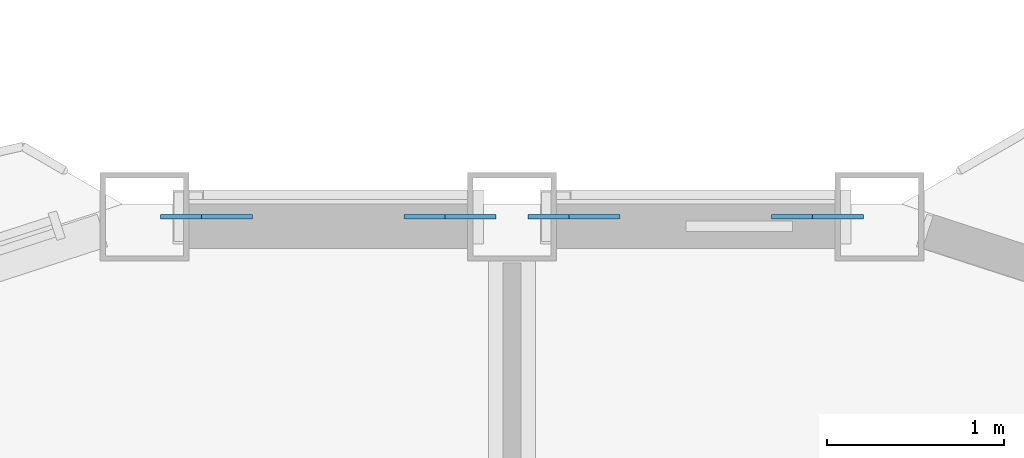
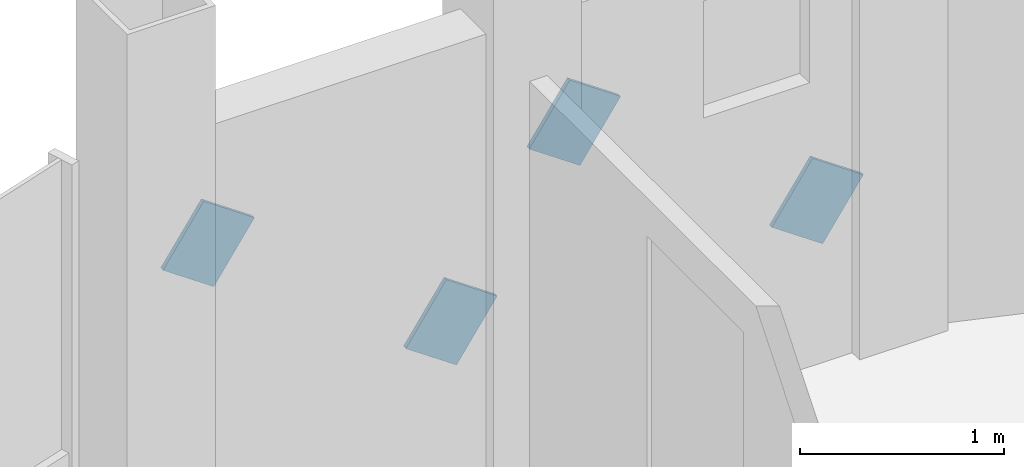
# One storey, part 21 of 26: 4 discrete accessories.
"""IFC4 building model written with IfcOpenShell, lengths in metres."""

from ifc_helpers import new_model, si_unit, direction, frame, origin, origin_2d, place, context, subcontext, project, spatial, rectangle, extrude, material, material_profile, profile_set, type_object, element, save


model = new_model("IFC4")

# Units and contexts
model_context = context("Model", 3, precision=1e-05, world=origin(), true_north=direction((0.0, 1.0)))
body_context = subcontext(model_context, "Body", "Model", "MODEL_VIEW")
ifc_project = project(units=[si_unit("LENGTHUNIT", "METRE"), si_unit("AREAUNIT", "SQUARE_METRE"), si_unit("VOLUMEUNIT", "CUBIC_METRE"), si_unit("PLANEANGLEUNIT", "RADIAN"), si_unit("MASSUNIT", "GRAM", prefix="KILO")], contexts=[model_context])

# Site, building, storey
site_placement = place(None, origin())
site = spatial("IfcSite", under=ifc_project, at=site_placement, CompositionType="ELEMENT")
building_placement = place(site_placement, origin())
building = spatial("IfcBuilding", under=site, at=building_placement, Name="Cormorant Prow Tower", CompositionType="ELEMENT")
storey_placement = place(building_placement, frame((0.0, 0.0, 401.800048828125)))
storey = spatial("IfcBuildingStorey", under=building, at=storey_placement, Name="L92", CompositionType="ELEMENT", Elevation=401.800048828125)

# Discrete accessories
ifc_material = material(Name="Structural steel ASTM A500 Gr C", Category="steel")
ifc_material_profile = material_profile(ifc_material, rectangle(XDim=0.02490234375, YDim=0.405029296875, at=origin_2d()), Name="Gusset plate 25x405")
ifc_profile_set = profile_set([ifc_material_profile], Name="Structural steel ASTM A500 Gr C")
discrete_accessory_type = type_object("IfcDiscreteAccessoryType", Name="Gusset plate 25x405", PredefinedType="BRACKET", material=ifc_profile_set)
for number, where, z_axis, x_axis, name in (
    (1, (1.580322265625, 31.219482421875, 0.941162109375), (0.822593864641, 0.0, -0.568629346635), (0.0, 1.0, 0.0), "Gusset plate GP3 L92.N00.g0"),
    (2, (0.493408203125, 31.219482421875, 1.692626953125), (-0.822593864641, 0.0, 0.568629346635), (0.0, -1.0, 0.0), "Gusset plate GP3 L92.N00.g1"),
    (3, (-0.493408203125, 31.219482421875, 0.941162109375), (0.822593864641, 0.0, -0.568629346635), (0.0, 1.0, 0.0), "Gusset plate GP3 L92.N01.g0"),
    (4, (-1.580322265625, 31.219482421875, 1.692626953125), (-0.822593864641, 0.0, 0.568629346635), (0.0, -1.0, 0.0), "Gusset plate GP3 L92.N01.g1"),
):
    element("IfcDiscreteAccessory", number, at=place(storey_placement, frame(where, z_axis=z_axis, x_axis=x_axis)), inside=storey, type_object=discrete_accessory_type, Name=name, PredefinedType="BRACKET", context=body_context, shape_type="SweptSolid", body=[
        extrude(rectangle(XDim=0.02490234375, YDim=0.405029296875, at=origin_2d()), origin(), (0.0, 0.0, 1.0), 0.349853515625),
    ])

save(model, "model.ifc")
